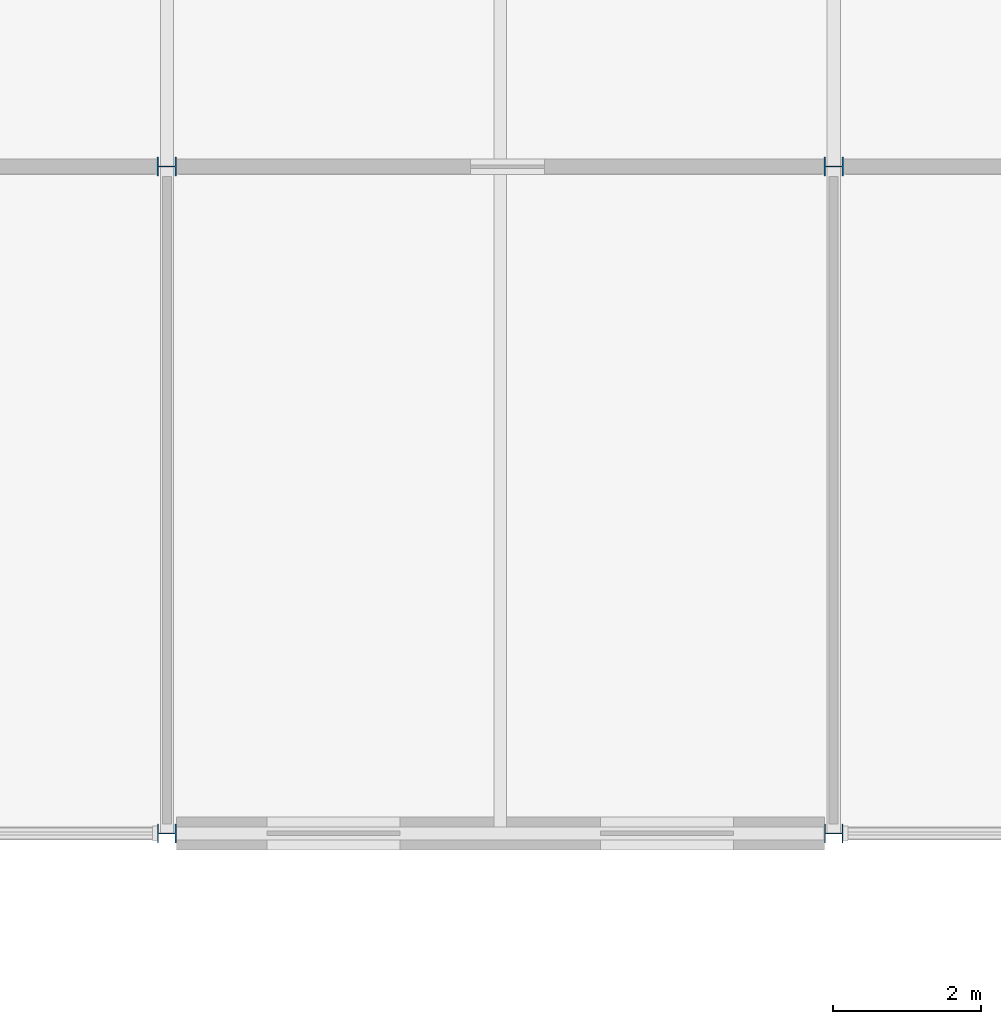
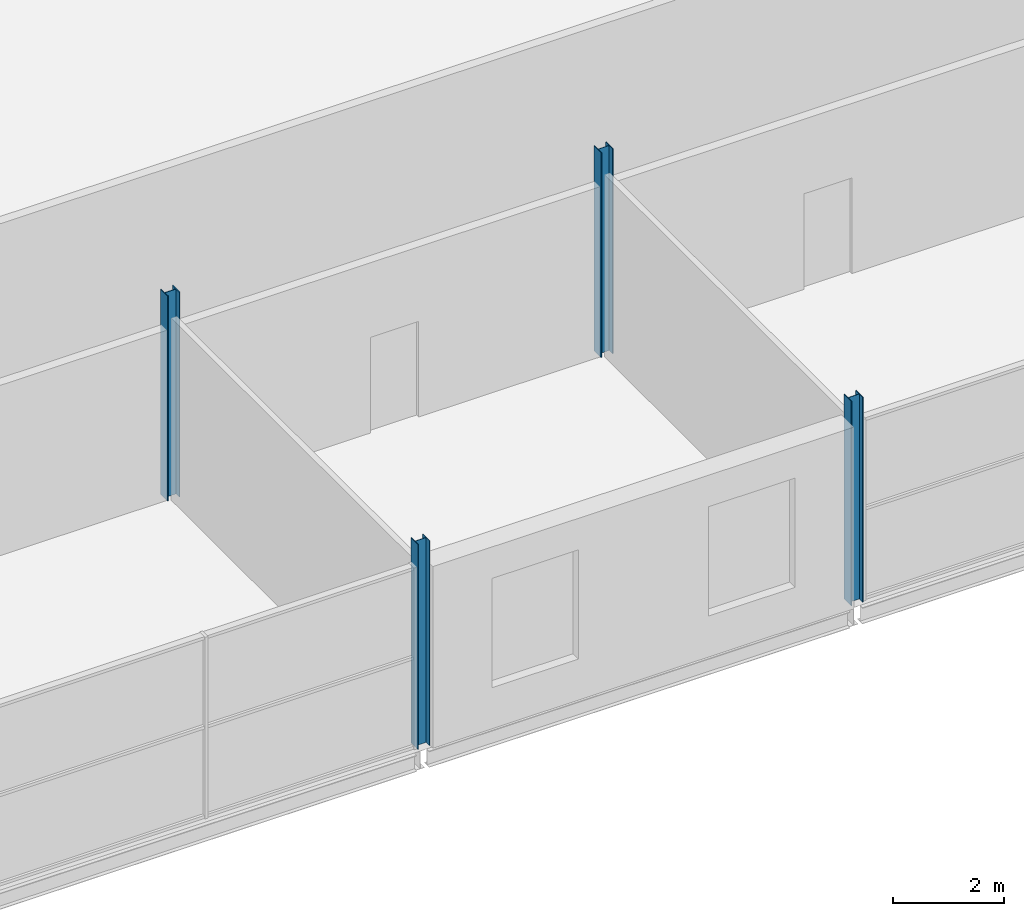
# One storey, part 6 of 138: 4 columns.
"""IFC4 building model written with IfcOpenShell, lengths in metres."""

import ifcopenshell
import ifcopenshell.guid

model = None  # the IFC model being written
_history = None  # IfcOwnerHistory: only IFC2X3 demands one
_inside = {}  # id of a spatial element -> (the spatial element, [elements in it])
_under = {}  # id of a project, library or spatial element -> (it, [spatial elements below it])
_declared = {}  # id of a project -> (the project, [libraries it declares])
_typed = {}  # id of a type object -> (the type object, [elements of that type])
_made_of = {}  # id of a material, layer set ... -> (it, [elements and type objects made of it])


def new_model(schema):
    """Start an empty IFC model of exactly this schema.

    Asked for "IFC4X3", IfcOpenShell would pick the latest addendum, in which some entities
    have other attributes; the version numbers below select the first issue.
    IFC2X3 requires an IfcOwnerHistory on every rooted entity: one is made here for all.
    """
    global model, _history
    if schema == "IFC4X3":
        model = ifcopenshell.file(schema_version=(4, 3, 0, 0))
    else:
        model = ifcopenshell.file(schema=schema)
    _inside.clear()
    _under.clear()
    _declared.clear()
    _typed.clear()
    _made_of.clear()
    _history = None
    if model.schema == "IFC2X3":
        org = make("IfcOrganization", Name="unknown")
        user = make(
            "IfcPersonAndOrganization",
            ThePerson=make("IfcPerson", FamilyName="unknown"),
            TheOrganization=org,
        )
        app = make(
            "IfcApplication",
            ApplicationDeveloper=org,
            Version="unknown",
            ApplicationFullName="unknown",
            ApplicationIdentifier="unknown",
        )
        _history = make(
            "IfcOwnerHistory",
            OwningUser=user,
            OwningApplication=app,
            ChangeAction="ADDED",
            CreationDate=0,
        )
    return model


def make(cls, **values):
    """One entity of the class cls with the attributes given. An attribute that is None is left unset."""
    return model.create_entity(
        cls, **{name: value for name, value in values.items() if value is not None}
    )


def rooted(cls, **values):
    """An entity with a GlobalId (a new one), such as an element, a storey or a relation."""
    return make(cls, GlobalId=ifcopenshell.guid.new(), OwnerHistory=_history, **values)


def si_unit(unit_type, name, prefix=None):
    """IfcSIUnit, for example si_unit("LENGTHUNIT", "METRE", prefix="MILLI")."""
    return make("IfcSIUnit", UnitType=unit_type, Prefix=prefix, Name=name)


def assignment(units):
    """IfcUnitAssignment: the units of a project."""
    return None if units is None else make("IfcUnitAssignment", Units=units)


def point(xyz):
    """IfcCartesianPoint."""
    return None if xyz is None else make("IfcCartesianPoint", Coordinates=xyz)


def direction(xyz):
    """IfcDirection."""
    return None if xyz is None else make("IfcDirection", DirectionRatios=xyz)


def frame(location, z_axis=None, x_axis=None):
    """IfcAxis2Placement3D, a coordinate frame: its origin and axes. An axis left out is left unset."""
    return make(
        "IfcAxis2Placement3D",
        Location=point(location),
        Axis=direction(z_axis),
        RefDirection=direction(x_axis),
    )


def frame_2d(location, x_axis=None):
    """IfcAxis2Placement2D, a coordinate frame in the plane: its origin and x axis."""
    return make(
        "IfcAxis2Placement2D", Location=point(location), RefDirection=direction(x_axis)
    )


def origin():
    """The frame at (0, 0, 0) with its axes left unset."""
    return frame((0.0, 0.0, 0.0))


def origin_2d():
    """The frame at (0, 0) in the plane with its x axis left unset."""
    return frame_2d((0.0, 0.0))


def place(relative_to, where):
    """IfcLocalPlacement: puts the frame where relative to a parent placement (None: the world)."""
    return make(
        "IfcLocalPlacement", PlacementRelTo=relative_to, RelativePlacement=where
    )


def context(
    kind, dimensions, precision=None, world=None, true_north=None, identifier=None
):
    """IfcGeometricRepresentationContext, for example the 3D "Model" context."""
    return make(
        "IfcGeometricRepresentationContext",
        ContextIdentifier=identifier,
        ContextType=kind,
        CoordinateSpaceDimension=dimensions,
        Precision=precision,
        WorldCoordinateSystem=world,
        TrueNorth=true_north,
    )


def subcontext(parent, identifier, kind, view, scale=None):
    """IfcGeometricRepresentationSubContext, for example "Body" below "Model"."""
    return make(
        "IfcGeometricRepresentationSubContext",
        ContextIdentifier=identifier,
        ContextType=kind,
        ParentContext=parent,
        TargetScale=scale,
        TargetView=view,
    )


def project(units=None, contexts=None):
    """IfcProject with its units and contexts."""
    return rooted(
        "IfcProject",
        Name="project",
        RepresentationContexts=contexts,
        UnitsInContext=assignment(units),
    )


def spatial(cls, under=None, at=None, **own):
    """A site, building, storey or space (cls), placed at a placement, below another one or the project."""
    s = rooted(cls, ObjectPlacement=at, **own)
    if under is not None:
        _under.setdefault(under.id(), (under, []))[1].append(s)
    return s


def profile(cls, at=None, kind="AREA", **sizes):
    """A parametric profile (cls). Its sizes go by their IFC names, for example OverallWidth=200.0."""
    return make(cls, ProfileType=kind, Position=at, **sizes)


def i_section(**sizes):
    """IfcIShapeProfileDef."""
    return profile("IfcIShapeProfileDef", **sizes)


def extrude(swept, where, along, depth):
    """IfcExtrudedAreaSolid: the profile swept, set in the frame where, extruded along a direction by depth."""
    return make(
        "IfcExtrudedAreaSolid",
        SweptArea=swept,
        Position=where,
        ExtrudedDirection=direction(along),
        Depth=depth,
    )


def shape(context_of_items, identifier, shape_type, items):
    """IfcShapeRepresentation: the items that make up one representation, for example the "Body"."""
    return make(
        "IfcShapeRepresentation",
        ContextOfItems=context_of_items,
        RepresentationIdentifier=identifier,
        RepresentationType=shape_type,
        Items=items,
    )


def material(Name=None, Category=None):
    """IfcMaterial."""
    return make("IfcMaterial", Name=Name, Category=Category)


def material_profile(
    of_material, cross_section, Name=None, Category=None, Priority=None
):
    """IfcMaterialProfile: a cross section and its material."""
    return make(
        "IfcMaterialProfile",
        Name=Name,
        Material=of_material,
        Profile=cross_section,
        Priority=Priority,
        Category=Category,
    )


def profile_set(profiles, Name=None, composite=None):
    """IfcMaterialProfileSet."""
    return make(
        "IfcMaterialProfileSet",
        Name=Name,
        MaterialProfiles=profiles,
        CompositeProfile=composite,
    )


def made_of(thing, what):
    """Note that an element or type object is made of a material, layer set ...; save() writes the relation."""
    if what is not None:
        _made_of.setdefault(what.id(), (what, []))[1].append(thing)
    return thing


def type_object(cls, material=None, **own):
    """A type object (cls), such as IfcWallType, which elements share."""
    return made_of(rooted(cls, **own), material)


def element(
    cls,
    number,
    at=None,
    inside=None,
    cuts=None,
    type_object=None,
    material=None,
    context=None,
    identifier="Body",
    shape_type=None,
    held_by="IfcProductDefinitionShape",
    body=None,
    shapes=None,
    **own,
):
    """One element of the class cls, such as IfcWall. Its Tag is "e" and its number.

    at: its placement. inside: the storey or other place that contains it. cuts: it is an
    opening in that element (IfcRelVoidsElement). A single representation is given by context,
    identifier, shape_type and body (its items); several are given by shapes. held_by: the class
    of the entity that holds the representations. save() writes the other relations.
    """
    e = rooted(cls, Tag="e%d" % number, ObjectPlacement=at, **own)
    if body is not None:
        shapes = [shape(context, identifier, shape_type, body)]
    if shapes is not None:
        e.Representation = make(held_by, Representations=shapes)
    if inside is not None:
        _inside.setdefault(inside.id(), (inside, []))[1].append(e)
    if cuts is not None:
        rooted(
            "IfcRelVoidsElement", RelatingBuildingElement=cuts, RelatedOpeningElement=e
        )
    if type_object is not None:
        _typed.setdefault(type_object.id(), (type_object, []))[1].append(e)
    return made_of(e, material)


def aggregate(whole, parts):
    """IfcRelAggregates: a whole, such as a stair, and the parts it consists of."""
    return rooted("IfcRelAggregates", RelatingObject=whole, RelatedObjects=parts)


def save(model, path):
    """Write the relations noted so far, then the file.

    IfcRelAggregates (storeys below a building ...), IfcRelContainedInSpatialStructure (elements
    in a storey), IfcRelDefinesByType, IfcRelAssociatesMaterial and IfcRelDeclares: one each for
    every whole, place, type object, material and project.
    """
    for whole, parts in _under.values():
        aggregate(whole, parts)
    for where, things in _inside.values():
        rooted(
            "IfcRelContainedInSpatialStructure",
            RelatedElements=things,
            RelatingStructure=where,
        )
    for kind, things in _typed.values():
        rooted("IfcRelDefinesByType", RelatedObjects=things, RelatingType=kind)
    for what, things in _made_of.values():
        rooted("IfcRelAssociatesMaterial", RelatedObjects=things, RelatingMaterial=what)
    for by, libraries in _declared.values():
        rooted("IfcRelDeclares", RelatingContext=by, RelatedDefinitions=libraries)
    model.write(path)


model = new_model("IFC4")

# Units and contexts
model_context = context("Model", 3, precision=1e-05, world=origin(), true_north=direction((0.0, 1.0)))
body_context = subcontext(model_context, "Body", "Model", "MODEL_VIEW")
ifc_project = project(units=[si_unit("LENGTHUNIT", "METRE"), si_unit("AREAUNIT", "SQUARE_METRE"), si_unit("VOLUMEUNIT", "CUBIC_METRE"), si_unit("PLANEANGLEUNIT", "RADIAN"), si_unit("MASSUNIT", "GRAM", prefix="KILO")], contexts=[model_context])

# Site, building, storey
site_placement = place(None, origin())
site = spatial("IfcSite", under=ifc_project, at=site_placement, CompositionType="ELEMENT")
building_placement = place(site_placement, origin())
building = spatial("IfcBuilding", under=site, at=building_placement, Name="Corbel Yard City Hall", CompositionType="ELEMENT")
storey_placement = place(building_placement, frame((0.0, 0.0, 10.5)))
storey = spatial("IfcBuildingStorey", under=building, at=storey_placement, Name="L02", CompositionType="ELEMENT", Elevation=10.5)

# Columns
ifc_material = material(Name="Steel Grade 300 (300 MPa yield)", Category="steel")
ifc_material_profile_1 = material_profile(ifc_material, i_section(OverallWidth=0.25390625, OverallDepth=0.25390625, WebThickness=0.008544921875, FlangeThickness=0.01416015625, at=origin_2d()), Name="250UC72.9")
ifc_profile_set_1 = profile_set([ifc_material_profile_1], Name="Steel Grade 300 (300 MPa yield)")
column_type_1 = type_object("IfcColumnType", Name="Column 250UC72.9", PredefinedType="COLUMN", material=ifc_profile_set_1)
for number, where, z_axis, x_axis, name in (
    (1, (36.0, 45.0, 0.0), (0.0, 0.0, 1.0), (0.0, 1.0, 0.0), "Column 250UC72.9 F/5 L02"),
    (2, (45.0, 45.0, 0.0), (0.0, 0.0, 1.0), (0.0, 1.0, 0.0), "Column 250UC72.9 F/6 L02"),
):
    element("IfcColumn", number, at=place(storey_placement, frame(where, z_axis=z_axis, x_axis=x_axis)), inside=storey, type_object=column_type_1, Name=name, PredefinedType="COLUMN", context=body_context, shape_type="SweptSolid", body=[
        extrude(i_section(OverallWidth=0.25390625, OverallDepth=0.25390625, WebThickness=0.008544921875, FlangeThickness=0.01416015625, at=origin_2d()), origin(), (0.0, 0.0, 1.0), 4.5),
    ])
ifc_material_profile_2 = material_profile(ifc_material, i_section(OverallWidth=0.256103515625, OverallDepth=0.260009765625, WebThickness=0.010498046875, FlangeThickness=0.017333984375, at=origin_2d()), Name="250UC89.5")
ifc_profile_set_2 = profile_set([ifc_material_profile_2], Name="Steel Grade 300 (300 MPa yield)")
column_type_2 = type_object("IfcColumnType", Name="Column 250UC89.5", PredefinedType="COLUMN", material=ifc_profile_set_2)
for number, where, z_axis, x_axis, name in (
    (3, (36.0, 54.0, 0.0), (0.0, 0.0, 1.0), (0.0, 1.0, 0.0), "Column 250UC89.5 G/5 L02"),
    (4, (45.0, 54.0, 0.0), (0.0, 0.0, 1.0), (0.0, 1.0, 0.0), "Column 250UC89.5 G/6 L02"),
):
    element("IfcColumn", number, at=place(storey_placement, frame(where, z_axis=z_axis, x_axis=x_axis)), inside=storey, type_object=column_type_2, Name=name, PredefinedType="COLUMN", context=body_context, shape_type="SweptSolid", body=[
        extrude(i_section(OverallWidth=0.256103515625, OverallDepth=0.260009765625, WebThickness=0.010498046875, FlangeThickness=0.017333984375, at=origin_2d()), origin(), (0.0, 0.0, 1.0), 4.5),
    ])

save(model, "model.ifc")
